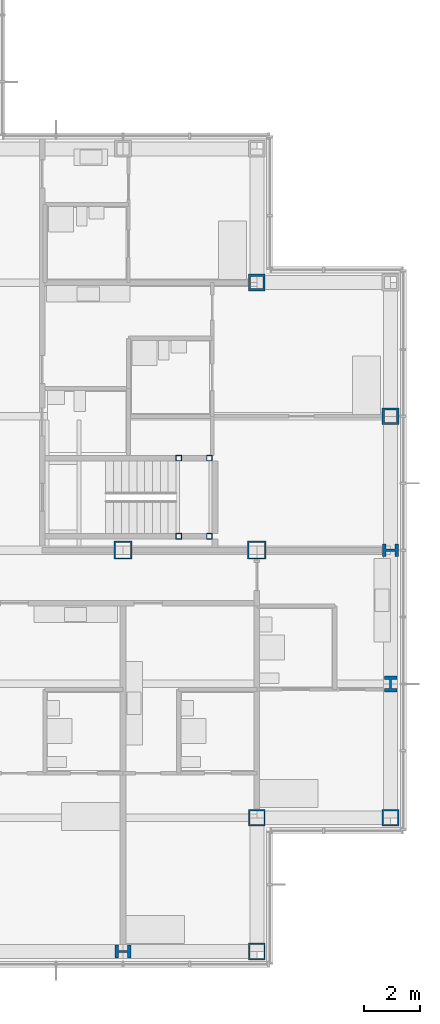
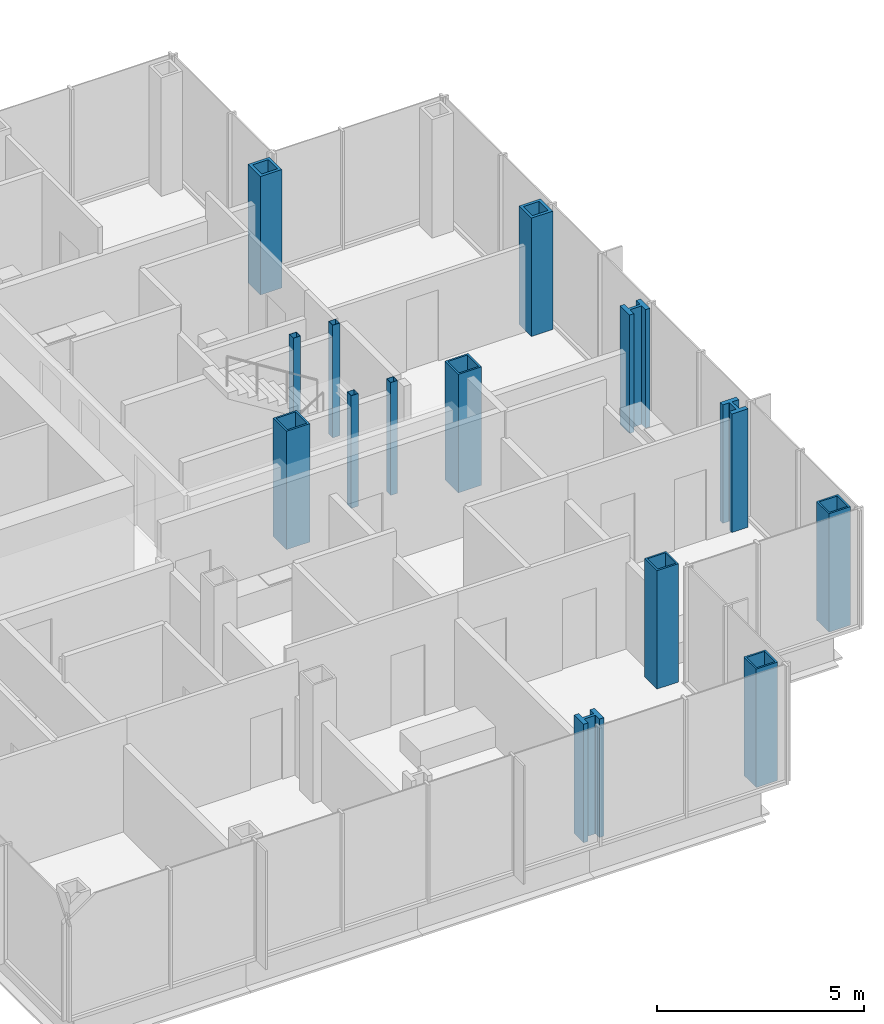
# One storey, part 4 of 19: 14 columns.
"""IFC4 building model written with IfcOpenShell, lengths in metres."""

from ifc_helpers import new_model, si_unit, direction, frame, origin, origin_2d, place, context, subcontext, project, spatial, hollow_rectangle, i_section, extrude, material, material_profile, profile_set, type_object, element, save


model = new_model("IFC4")

# Units and contexts
model_context = context("Model", 3, precision=1e-05, world=origin(), true_north=direction((0.0, 1.0)))
body_context = subcontext(model_context, "Body", "Model", "MODEL_VIEW")
ifc_project = project(units=[si_unit("LENGTHUNIT", "METRE"), si_unit("AREAUNIT", "SQUARE_METRE"), si_unit("VOLUMEUNIT", "CUBIC_METRE"), si_unit("PLANEANGLEUNIT", "RADIAN"), si_unit("MASSUNIT", "GRAM", prefix="KILO")], contexts=[model_context])

# Site, building, storey
site_placement = place(None, origin())
site = spatial("IfcSite", under=ifc_project, at=site_placement, CompositionType="ELEMENT")
building_placement = place(site_placement, origin())
building = spatial("IfcBuilding", under=site, at=building_placement, Name="Kvirike Care Tower", CompositionType="ELEMENT")
storey_placement = place(building_placement, frame((0.0, 0.0, 108.5)))
storey = spatial("IfcBuildingStorey", under=building, at=storey_placement, Name="L29", CompositionType="ELEMENT", Elevation=108.5)

# Columns
ifc_material_1 = material(Name="Steel S460", Category="steel")
ifc_material_profile_1 = material_profile(ifc_material_1, hollow_rectangle(XDim=0.60009765625, YDim=0.60009765625, WallThickness=0.050048828125, at=origin_2d()), Name="BX 600x600x50")
ifc_profile_set_1 = profile_set([ifc_material_profile_1], Name="Steel S460")
column_type_1 = type_object("IfcColumnType", Name="COLUMN BX 600x600x50", PredefinedType="COLUMN", material=ifc_profile_set_1)
for number, where, z_axis, x_axis, name in (
    (1, (38.39990234375, 14.39990234375, 0.0), (0.0, 0.0, 1.0), (0.0, 1.0, 0.0), "Column D11 L29"),
    (2, (38.39990234375, 19.199951171875, 0.0), (0.0, 0.0, 1.0), (0.0, 1.0, 0.0), "Column E11 L29"),
    (3, (43.199951171875, 19.199951171875, 0.0), (0.0, 0.0, 1.0), (0.0, 1.0, 0.0), "Column E12 L29"),
):
    element("IfcColumn", number, at=place(storey_placement, frame(where, z_axis=z_axis, x_axis=x_axis)), inside=storey, type_object=column_type_1, Name=name, PredefinedType="COLUMN", context=body_context, shape_type="SweptSolid", body=[
        extrude(hollow_rectangle(XDim=0.60009765625, YDim=0.60009765625, WallThickness=0.050048828125, at=origin_2d()), origin(), (0.0, 0.0, 1.0), 3.5),
    ])
ifc_material_2 = material(Name="Steel S460", Category="steel")
ifc_material_profile_2 = material_profile(ifc_material_2, hollow_rectangle(XDim=0.60009765625, YDim=0.60009765625, WallThickness=0.080078125, at=origin_2d()), Name="BX 600x600x80")
ifc_profile_set_2 = profile_set([ifc_material_profile_2], Name="Steel S460")
column_type_2 = type_object("IfcColumnType", Name="COLUMN BX 600x600x80", PredefinedType="COLUMN", material=ifc_profile_set_2)
for number, where, z_axis, x_axis, name in (
    (4, (38.39990234375, 38.39990234375, 0.0), (0.0, 0.0, 1.0), (0.0, 1.0, 0.0), "Column J11 L29"),
    (5, (43.199951171875, 33.60009765625, 0.0), (0.0, 0.0, 1.0), (1.0, 0.0, 0.0), "Column H12 L29"),
):
    element("IfcColumn", number, at=place(storey_placement, frame(where, z_axis=z_axis, x_axis=x_axis)), inside=storey, type_object=column_type_2, Name=name, PredefinedType="COLUMN", context=body_context, shape_type="SweptSolid", body=[
        extrude(hollow_rectangle(XDim=0.60009765625, YDim=0.60009765625, WallThickness=0.080078125, at=origin_2d()), origin(), (0.0, 0.0, 1.0), 3.5),
    ])
ifc_material_3 = material(Name="Steel S460", Category="steel")
ifc_material_profile_3 = material_profile(ifc_material_3, hollow_rectangle(XDim=0.64990234375, YDim=0.64990234375, WallThickness=0.050048828125, at=origin_2d()), Name="BX 650x650x50")
ifc_profile_set_3 = profile_set([ifc_material_profile_3], Name="Steel S460")
column_type_3 = type_object("IfcColumnType", Name="COLUMN BX 650x650x50", PredefinedType="COLUMN", material=ifc_profile_set_3)
for number, where, z_axis, x_axis, name in (
    (6, (33.60009765625, 28.800048828125, 0.0), (0.0, 0.0, 1.0), (0.0, 1.0, 0.0), "Column G10 L29"),
    (7, (38.39990234375, 28.800048828125, 0.0), (0.0, 0.0, 1.0), (0.0, 1.0, 0.0), "Column G11 L29"),
):
    element("IfcColumn", number, at=place(storey_placement, frame(where, z_axis=z_axis, x_axis=x_axis)), inside=storey, type_object=column_type_3, Name=name, PredefinedType="COLUMN", context=body_context, shape_type="SweptSolid", body=[
        extrude(hollow_rectangle(XDim=0.64990234375, YDim=0.64990234375, WallThickness=0.050048828125, at=origin_2d()), origin(), (0.0, 0.0, 1.0), 3.5),
    ])
ifc_material_4 = material(Name="Steel S460", Category="steel")
ifc_material_profile_4 = material_profile(ifc_material_4, i_section(OverallWidth=0.4541015625, OverallDepth=0.569091796875, WebThickness=0.077880859375, FlangeThickness=0.125, FilletRadius=0.014892578125, at=origin_2d()), Name="HD 400x1086")
ifc_profile_set_4 = profile_set([ifc_material_profile_4], Name="Steel S460")
column_type_4 = type_object("IfcColumnType", Name="COLUMN HD 400x1086", PredefinedType="COLUMN", material=ifc_profile_set_4)
for number, where, z_axis, x_axis, name in (
    (8, (33.60009765625, 14.39990234375, 0.0), (0.0, 0.0, 1.0), (0.0, 1.0, 0.0), "Column D10 L29"),
    (9, (43.199951171875, 24.0, 0.0), (0.0, 0.0, 1.0), (1.0, 0.0, 0.0), "Column F12 L29"),
    (10, (43.199951171875, 28.800048828125, 0.0), (0.0, 0.0, 1.0), (0.0, 1.0, 0.0), "Column G12 L29"),
):
    element("IfcColumn", number, at=place(storey_placement, frame(where, z_axis=z_axis, x_axis=x_axis)), inside=storey, type_object=column_type_4, Name=name, PredefinedType="COLUMN", context=body_context, shape_type="SweptSolid", body=[
        extrude(i_section(OverallWidth=0.4541015625, OverallDepth=0.569091796875, WebThickness=0.077880859375, FlangeThickness=0.125, FilletRadius=0.014892578125, at=origin_2d()), origin(), (0.0, 0.0, 1.0), 3.5),
    ])
ifc_material_5 = material(Name="Steel S460", Category="steel")
ifc_material_profile_5 = material_profile(ifc_material_5, hollow_rectangle(XDim=0.199951171875, YDim=0.199951171875, WallThickness=0.008056640625, at=origin_2d()), Name="SHS 200x200x8")
ifc_profile_set_5 = profile_set([ifc_material_profile_5], Name="Steel S460")
column_type_5 = type_object("IfcColumnType", Name="STAIR POST SHS 200x200x8", PredefinedType="COLUMN", material=ifc_profile_set_5)
for number, where, z_axis, x_axis, name in (
    (11, (36.699951171875, 29.300048828125, 0.0), (0.0, 0.0, 1.0), (1.0, 0.0, 0.0), "Stair 2 post 1 L29"),
    (12, (36.699951171875, 32.10009765625, 0.0), (0.0, 0.0, 1.0), (1.0, 0.0, 0.0), "Stair 2 post 2 L29"),
    (13, (35.60009765625, 29.300048828125, 0.0), (0.0, 0.0, 1.0), (1.0, 0.0, 0.0), "Stair 2 post 3 L29"),
    (14, (35.60009765625, 32.10009765625, 0.0), (0.0, 0.0, 1.0), (1.0, 0.0, 0.0), "Stair 2 post 4 L29"),
):
    element("IfcColumn", number, at=place(storey_placement, frame(where, z_axis=z_axis, x_axis=x_axis)), inside=storey, type_object=column_type_5, Name=name, PredefinedType="COLUMN", context=body_context, shape_type="SweptSolid", body=[
        extrude(hollow_rectangle(XDim=0.199951171875, YDim=0.199951171875, WallThickness=0.008056640625, at=origin_2d()), origin(), (0.0, 0.0, 1.0), 3.330078125),
    ])

save(model, "model.ifc")
